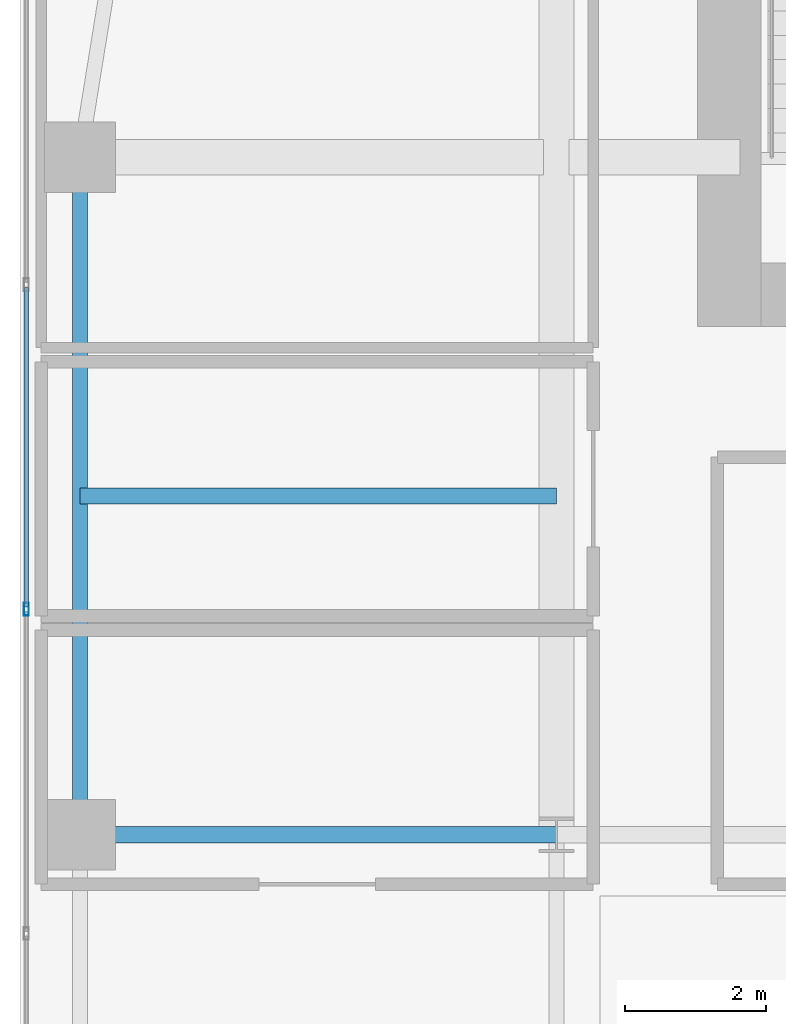
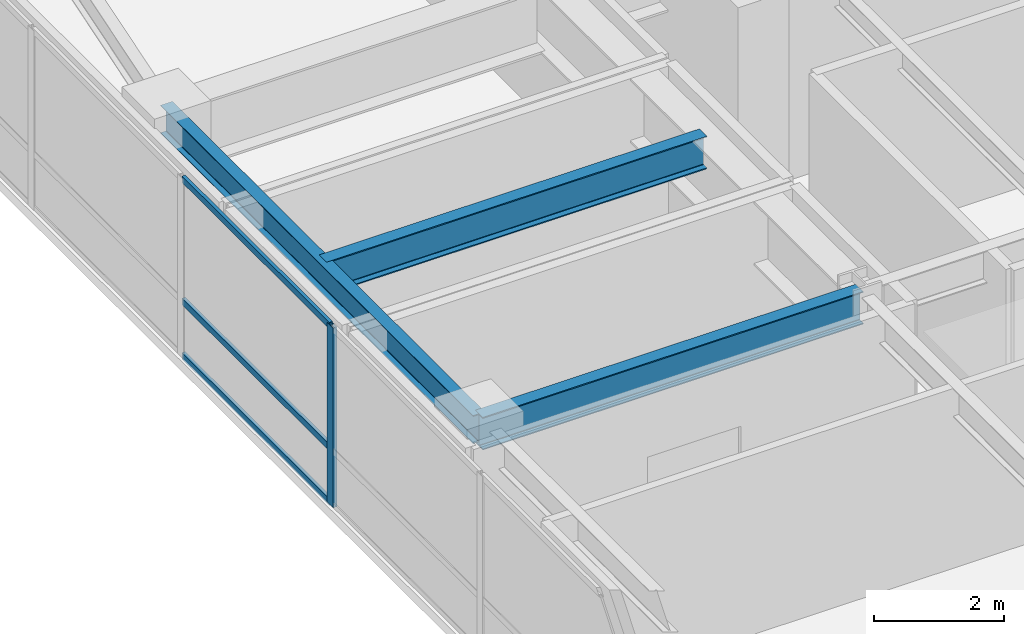
# One storey, part 10 of 37: 4 members, 3 beams, 1 element without a shape of its own.
"""IFC4 building model written with IfcOpenShell, lengths in metres."""

from ifc_helpers import new_model, si_unit, direction, frame, origin, origin_2d, place, context, subcontext, project, spatial, hollow_rectangle, i_section, extrude, source, transform, mapped, material, layer, layer_set, material_profile, profile_set, type_object, type_shapes, element, aggregate, save


model = new_model("IFC4")

# Units and contexts
model_context = context("Model", 3, precision=1e-05, world=origin(), true_north=direction((0.0, 1.0)))
body_context = subcontext(model_context, "Body", "Model", "MODEL_VIEW")
ifc_project = project(units=[si_unit("LENGTHUNIT", "METRE"), si_unit("AREAUNIT", "SQUARE_METRE"), si_unit("VOLUMEUNIT", "CUBIC_METRE"), si_unit("PLANEANGLEUNIT", "RADIAN"), si_unit("MASSUNIT", "GRAM", prefix="KILO")], contexts=[model_context])

# Site, building, storey
site_placement = place(None, origin())
site = spatial("IfcSite", under=ifc_project, at=site_placement, CompositionType="ELEMENT")
building_placement = place(site_placement, origin())
building = spatial("IfcBuilding", under=site, at=building_placement, Name="Tolvann Quenvar Hotel", CompositionType="ELEMENT")
storey_placement = place(building_placement, frame((0.0, 0.0, 53.300048828125)))
storey = spatial("IfcBuildingStorey", under=building, at=storey_placement, Name="L12", CompositionType="ELEMENT", Elevation=53.300048828125)

# Beams
ifc_material_1 = material(Name="Steel Grade 350", Category="steel")
ifc_material_profile_1 = material_profile(ifc_material_1, i_section(OverallWidth=0.22900390625, OverallDepth=0.612060546875, WebThickness=0.011962890625, FlangeThickness=0.01953125, FilletRadius=0.013916015625, at=origin_2d()), Name="610UB125")
ifc_profile_set_1 = profile_set([ifc_material_profile_1], Name="Steel Grade 350")
beam_type_1 = type_object("IfcBeamType", Name="BM_GIRD_610UB125", PredefinedType="BEAM", material=ifc_profile_set_1)
shared_shape_1 = source(origin(), body_context, "Body", "SweptSolid", [
    extrude(i_section(OverallWidth=0.22900390625, OverallDepth=0.612060546875, WebThickness=0.011962890625, FlangeThickness=0.01953125, FilletRadius=0.013916015625, at=origin_2d()), origin(), (0.0, 0.0, 1.0), 6.75),
])
type_shapes(beam_type_1, [shared_shape_1])
for number, where, z_axis, x_axis, name in (
    (1, (0.85009765625, 24.39990234375, 3.06396484375), (1.0, 0.0, 0.0), (0.0, 1.0, 0.0), "BM-L12-EW-5-B5-C5"),
    (2, (0.85009765625, 29.199951171875, 3.06396484375), (1.0, 0.0, 0.0), (0.0, 1.0, 0.0), "BM-L12-EW-BC29"),
):
    element("IfcBeam", number, at=place(storey_placement, frame(where, z_axis=z_axis, x_axis=x_axis)), inside=storey, type_object=beam_type_1, Name=name, PredefinedType="BEAM", context=body_context, shape_type="MappedRepresentation", body=[
        mapped(shared_shape_1, transform((0.0, 0.0, 0.0), x_axis=(1.0, 0.0, 0.0), y_axis=(0.0, 1.0, 0.0), z_axis=(0.0, 0.0, 1.0), scale=1.0)),
    ])
ifc_material_profile_2 = material_profile(ifc_material_1, i_section(OverallWidth=0.208984375, OverallDepth=0.528076171875, WebThickness=0.009521484375, FlangeThickness=0.01318359375, FilletRadius=0.013916015625, at=origin_2d()), Name="530UB82")
ifc_profile_set_2 = profile_set([ifc_material_profile_2], Name="Steel Grade 350")
beam_type_2 = type_object("IfcBeamType", Name="BM_SPAND_530UB82", PredefinedType="SPANDREL", material=ifc_profile_set_2)
shared_shape_2 = source(origin(), body_context, "Body", "SweptSolid", [
    extrude(i_section(OverallWidth=0.208984375, OverallDepth=0.528076171875, WebThickness=0.009521484375, FlangeThickness=0.01318359375, FilletRadius=0.013916015625, at=origin_2d()), origin(), (0.0, 0.0, 1.0), 9.60009765625),
])
type_shapes(beam_type_2, [shared_shape_2])
beam_placement = place(storey_placement, frame((0.85009765625, 24.39990234375, 3.10595703125), z_axis=(0.0, 1.0, 0.0), x_axis=(-1.0, 0.0, 0.0)))
element("IfcBeam", 3, at=beam_placement, inside=storey, type_object=beam_type_2, Name="BM-L12-FLK-W1", PredefinedType="SPANDREL", context=body_context, shape_type="MappedRepresentation", body=[
    mapped(shared_shape_2, transform((0.0, 0.0, 0.0), x_axis=(1.0, 0.0, 0.0), y_axis=(0.0, 1.0, 0.0), z_axis=(0.0, 0.0, 1.0), scale=1.0)),
])

# Curtain wall, members
ifc_material_2 = material(Name="Thermally broken anodised architectural aluminium 6063-T6 and laminated low-E glass", Category="aluminium")
ifc_layer = layer(ifc_material_2, 0.179931640625)
ifc_layer_set = layer_set([ifc_layer], Name="Thermally broken anodised architectural aluminium 6063-T6 and laminated low-E glass")
curtain_wall_type = type_object("IfcCurtainWallType", Name="CW_SYS_BAND_04", PredefinedType="USERDEFINED", material=ifc_layer_set)
curtain_wall_placement = place(storey_placement, origin())
curtain_wall = element("IfcCurtainWall", 4, at=curtain_wall_placement, inside=storey, type_object=curtain_wall_type, Name="Curtain Wall CW-BAND-04 (CWR-L12-E23)", ObjectType="UNITISED CURTAIN WALL", PredefinedType="USERDEFINED")
ifc_material_3 = material(Name="Anodised architectural aluminium 6063-T6 framing", Category="aluminium")
ifc_material_profile_3 = material_profile(ifc_material_3, hollow_rectangle(XDim=0.070068359375, YDim=0.179931640625, WallThickness=0.00390625, at=origin_2d()), Name="180x70x4RHS")
ifc_profile_set_3 = profile_set([ifc_material_profile_3], Name="Anodised architectural aluminium 6063-T6 framing")
member_type_1 = type_object("IfcMemberType", Name="CW_MULL_180x70", PredefinedType="MULLION", material=ifc_profile_set_3)
shared_shape_3 = source(origin(), body_context, "Body", "SweptSolid", [
    extrude(hollow_rectangle(XDim=0.070068359375, YDim=0.179931640625, WallThickness=0.00390625, at=origin_2d()), origin(), (0.0, 0.0, 1.0), 3.369873046875),
])
type_shapes(member_type_1, [shared_shape_3])
member_1_placement = place(storey_placement, frame((0.090087890625, 27.595703125, 0.0), z_axis=(0.0, 0.0, 1.0), x_axis=(1.0, 0.0, 0.0)))
member_1 = element("IfcMember", 5, at=member_1_placement, type_object=member_type_1, Name="CW-BAND-04 mullion 4", PredefinedType="MULLION", context=body_context, shape_type="MappedRepresentation", body=[
    mapped(shared_shape_3, transform((0.0, 0.0, 0.0), x_axis=(1.0, 0.0, 0.0), y_axis=(0.0, 1.0, 0.0), z_axis=(0.0, 0.0, 1.0), scale=1.0)),
])
ifc_material_profile_4 = material_profile(ifc_material_3, hollow_rectangle(XDim=0.06005859375, YDim=0.1201171875, WallThickness=0.00341796875, at=origin_2d()), Name="120x60x3.5RHS")
ifc_profile_set_4 = profile_set([ifc_material_profile_4], Name="Anodised architectural aluminium 6063-T6 framing")
member_type_2 = type_object("IfcMemberType", Name="CW_TRAN_120x60", PredefinedType="USERDEFINED", material=ifc_profile_set_4)
shared_shape_4 = source(origin(), body_context, "Body", "SweptSolid", [
    extrude(hollow_rectangle(XDim=0.06005859375, YDim=0.1201171875, WallThickness=0.00341796875, at=origin_2d()), origin(), (0.0, 0.0, 1.0), 4.52587890625),
])
type_shapes(member_type_2, [shared_shape_4])
member_2_placement = place(storey_placement, frame((0.090087890625, 32.156494140625, 0.030029296875), z_axis=(0.0, -1.0, 0.0), x_axis=(1.0, 0.0, 0.0)))
member_2 = element("IfcMember", 6, at=member_2_placement, type_object=member_type_2, Name="CW-BAND-04 transom 3.1", ObjectType="TRANSOM", PredefinedType="USERDEFINED", context=body_context, shape_type="MappedRepresentation", body=[
    mapped(shared_shape_4, transform((0.0, 0.0, 0.0), x_axis=(1.0, 0.0, 0.0), y_axis=(0.0, 1.0, 0.0), z_axis=(0.0, 0.0, 1.0), scale=1.0)),
])
member_3_placement = place(storey_placement, frame((0.090087890625, 32.156494140625, 1.050048828125), z_axis=(0.0, -1.0, 0.0), x_axis=(1.0, 0.0, 0.0)))
member_3 = element("IfcMember", 7, at=member_3_placement, type_object=member_type_2, Name="CW-BAND-04 transom 3.2", ObjectType="TRANSOM", PredefinedType="USERDEFINED", context=body_context, shape_type="MappedRepresentation", body=[
    mapped(shared_shape_4, transform((0.0, 0.0, 0.0), x_axis=(1.0, 0.0, 0.0), y_axis=(0.0, 1.0, 0.0), z_axis=(0.0, 0.0, 1.0), scale=1.0)),
])
member_4_placement = place(storey_placement, frame((0.090087890625, 32.156494140625, 3.33984375), z_axis=(0.0, -1.0, 0.0), x_axis=(1.0, 0.0, 0.0)))
member_4 = element("IfcMember", 8, at=member_4_placement, type_object=member_type_2, Name="CW-BAND-04 transom 3.3", ObjectType="TRANSOM", PredefinedType="USERDEFINED", context=body_context, shape_type="MappedRepresentation", body=[
    mapped(shared_shape_4, transform((0.0, 0.0, 0.0), x_axis=(1.0, 0.0, 0.0), y_axis=(0.0, 1.0, 0.0), z_axis=(0.0, 0.0, 1.0), scale=1.0)),
])
aggregate(curtain_wall, [member_1, member_2, member_3, member_4])

save(model, "model.ifc")
